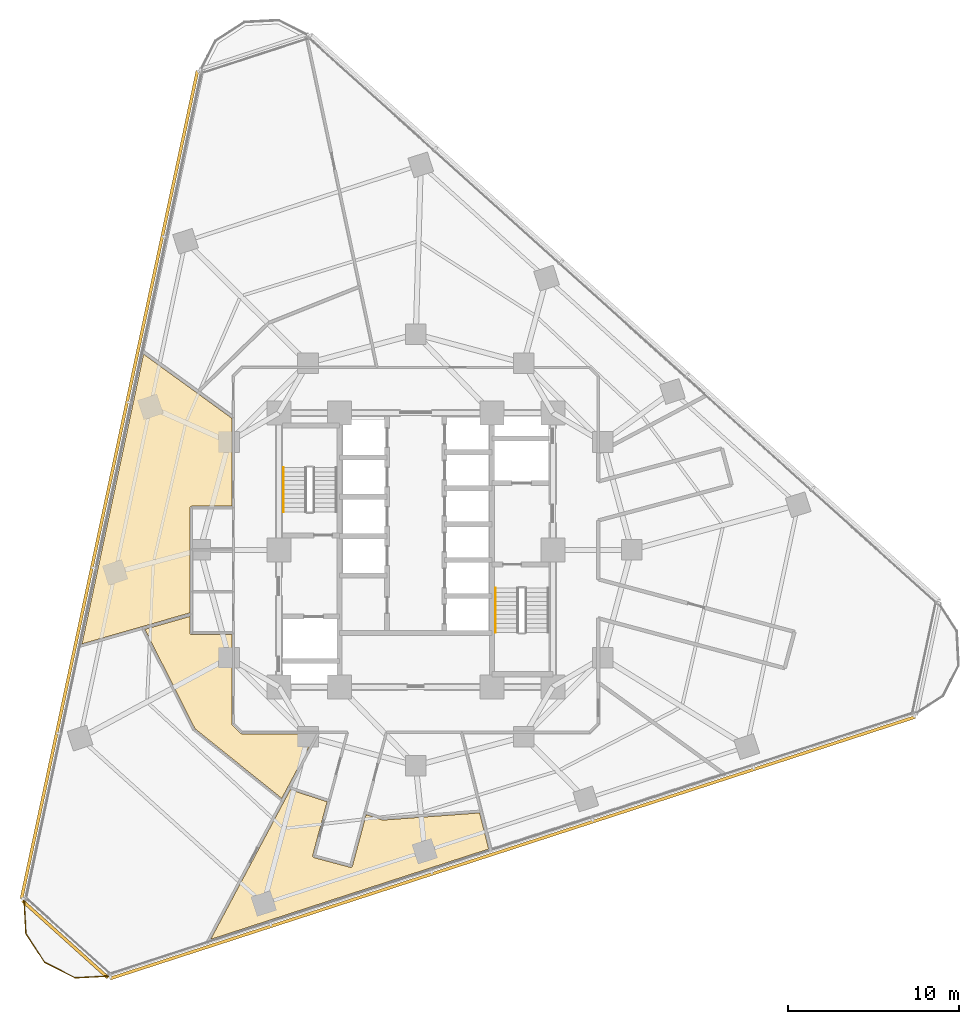
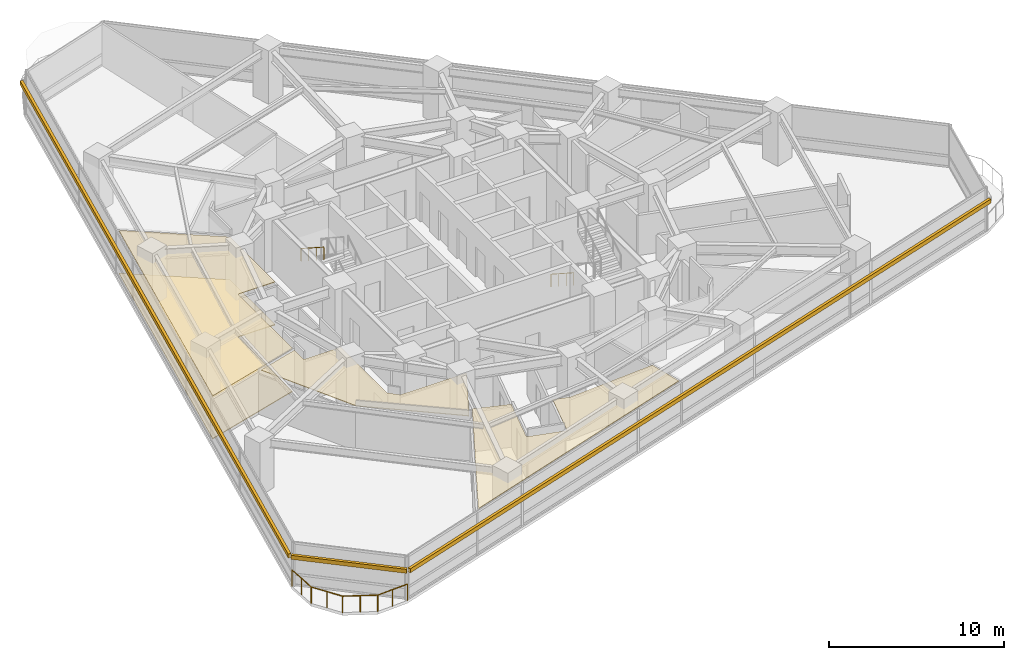
# One storey, part 11 of 13: 4 coverings, 3 railings, 3 shading devices.
"""IFC4 building model written with IfcOpenShell, lengths in metres."""

from ifc_helpers import new_model, si_unit, direction, frame, origin, origin_2d, place, context, subcontext, project, spatial, polyline, rectangle, circle, outline, extrude, material, layer, layer_set, type_object, element, save


model = new_model("IFC4")

# Units and contexts
model_context = context("Model", 3, precision=1e-05, world=origin(), true_north=direction((0.0, 1.0)))
body_context = subcontext(model_context, "Body", "Model", "MODEL_VIEW")
ifc_project = project(units=[si_unit("LENGTHUNIT", "METRE"), si_unit("AREAUNIT", "SQUARE_METRE"), si_unit("VOLUMEUNIT", "CUBIC_METRE"), si_unit("PLANEANGLEUNIT", "RADIAN"), si_unit("MASSUNIT", "GRAM", prefix="KILO")], contexts=[model_context])

# Site, building, storey
site_placement = place(None, origin())
site = spatial("IfcSite", under=ifc_project, at=site_placement, CompositionType="ELEMENT")
building_placement = place(site_placement, origin())
building = spatial("IfcBuilding", under=site, at=building_placement, Name="Terralouvre Media Tower", CompositionType="ELEMENT")
storey_placement = place(building_placement, frame((0.0, 0.0, 90.300048828125)))
storey = spatial("IfcBuildingStorey", under=building, at=storey_placement, Name="L22", CompositionType="ELEMENT", Elevation=90.300048828125)

# Coverings
ifc_material_1 = material(Name="Resilient elastomer acoustic broadcast studio flooring")
ifc_layer_1 = layer(ifc_material_1, 0.050048828125, Name="Broadcast Studio Acoustic Floating Floor FL-AC1")
ifc_layer_set_1 = layer_set([ifc_layer_1], Name="Resilient elastomer acoustic broadcast studio flooring")
covering_type_1 = type_object("IfcCoveringType", Name="Broadcast Studio Acoustic Floating Floor FL-AC1", PredefinedType="FLOORING", material=ifc_layer_set_1)
covering_1_placement = place(storey_placement, frame((0.0, 0.0, 0.0), z_axis=(0.0, 0.0, 1.0), x_axis=(0.951056516295, 0.309016994375, 0.0)))
element("IfcCovering", 1, at=covering_1_placement, inside=storey, type_object=covering_type_1, Name="L22 Documentary Archive Library 11 Acoustic Floating Floor", PredefinedType="FLOORING", context=body_context, shape_type="SweptSolid", body=[
    extrude(outline(polyline([(-13.69140625, 0.578369140625), (-11.796875, 6.4091796875), (-11.79345703125, 6.418212890625), (-11.7890625, 6.427001953125), (-11.78369140625, 6.435302734375), (-11.77783203125, 6.443115234375), (-11.77099609375, 6.4501953125), (-11.763671875, 6.456787109375), (-11.755615234375, 6.46240234375), (-11.7470703125, 6.46728515625), (-11.738037109375, 6.471435546875), (-11.72900390625, 6.474365234375), (-11.71923828125, 6.4765625), (-11.709716796875, 6.47802734375), (-11.69970703125, 6.478271484375), (-11.68994140625, 6.4775390625), (-11.680419921875, 6.475830078125), (-11.6708984375, 6.473388671875), (-9.435791015625, 5.7470703125), (-7.848388671875, 10.6328125), (-9.323486328125, 12.661865234375), (-11.592529296875, 15.785400390625), (-20.23974609375, 0.806884765625), (-16.597900390625, 0.679443359375), (-13.69140625, 0.578369140625)])), origin(), (0.0, 0.0, 1.0), 0.050048828125),
])
ifc_material_2 = material(Name="Perforated aluminium acoustic ceiling baffle", Category="aluminium")
ifc_layer_2 = layer(ifc_material_2, 0.0400390625, Name="Perforated Acoustic Metal Tile Ceiling CL-AC1")
ifc_layer_set_2 = layer_set([ifc_layer_2], Name="Perforated aluminium acoustic ceiling baffle")
covering_type_2 = type_object("IfcCoveringType", Name="Perforated Acoustic Metal Tile Ceiling CL-AC1", PredefinedType="CEILING", material=ifc_layer_set_2)
covering_2_placement = place(storey_placement, frame((0.0, 0.0, 2.97998046875), z_axis=(0.0, 0.0, 1.0), x_axis=(0.951056516295, 0.309016994375, 0.0)))
element("IfcCovering", 2, at=covering_2_placement, inside=storey, type_object=covering_type_2, Name="L22 Grading Client Lounge 3 Acoustic Ceiling", PredefinedType="CEILING", context=body_context, shape_type="SweptSolid", body=[
    extrude(outline(polyline([(-6.701416015625, -14.41650390625), (-6.7109375, -14.41357421875), (-6.719970703125, -14.409912109375), (-6.728515625, -14.4052734375), (-6.73681640625, -14.39990234375), (-7.5390625, -13.8125), (-9.232421875, -16.420654296875), (-9.23828125, -16.428466796875), (-9.24462890625, -16.435791015625), (-9.251953125, -16.442626953125), (-9.259765625, -16.448486328125), (-9.26806640625, -16.45361328125), (-9.27685546875, -16.4580078125), (-9.2861328125, -16.46142578125), (-9.295654296875, -16.4638671875), (-9.30517578125, -16.465576171875), (-9.31494140625, -16.466064453125), (-9.324951171875, -16.4658203125), (-9.33447265625, -16.46435546875), (-9.343994140625, -16.462158203125), (-9.353515625, -16.458984375), (-9.3623046875, -16.454833984375), (-9.370849609375, -16.449951171875), (-11.216064453125, -15.252197265625), (-11.223876953125, -15.246337890625), (-11.231201171875, -15.239990234375), (-11.238037109375, -15.232666015625), (-11.243896484375, -15.224853515625), (-11.2490234375, -15.216552734375), (-11.25341796875, -15.207763671875), (-11.2568359375, -15.198486328125), (-11.25927734375, -15.18896484375), (-11.260986328125, -15.179443359375), (-11.261474609375, -15.169677734375), (-11.26123046875, -15.15966796875), (-11.259765625, -15.150146484375), (-11.257568359375, -15.140625), (-11.25439453125, -15.13134765625), (-11.25048828125, -15.122314453125), (-11.245361328125, -15.11376953125), (-9.4775390625, -12.39013671875), (-11.302001953125, -11.052734375), (-11.880126953125, -11.611083984375), (-18.42578125, -17.93212890625), (-1.354248046875, -17.931884765625), (-1.2021484375, -15.761962890625), (-6.701416015625, -14.41650390625)])), origin(), (0.0, 0.0, 1.0), 0.0400390625),
])
covering_3_placement = place(storey_placement, frame((0.0, 0.0, 2.97998046875), z_axis=(0.0, 0.0, 1.0), x_axis=(0.951056516295, 0.309016994375, 0.0)))
element("IfcCovering", 3, at=covering_3_placement, inside=storey, type_object=covering_type_2, Name="L22 Storyboarding Conference Room 5 Acoustic Ceiling", PredefinedType="CEILING", context=body_context, shape_type="SweptSolid", body=[
    extrude(outline(polyline([(-13.99755859375, -0.656005859375), (-14.00634765625, -0.65185546875), (-14.0146484375, -0.646484375), (-14.0224609375, -0.640625), (-14.029541015625, -0.6337890625), (-14.0361328125, -0.62646484375), (-14.041748046875, -0.618408203125), (-14.046630859375, -0.60986328125), (-14.05078125, -0.600830078125), (-14.0537109375, -0.591796875), (-14.055908203125, -0.58203125), (-14.057373046875, -0.572265625), (-14.0576171875, -0.5625), (-14.056884765625, -0.552734375), (-14.05517578125, -0.54296875), (-14.052734375, -0.53369140625), (-13.755615234375, 0.380615234375), (-16.484130859375, 0.475341796875), (-15.4951171875, -5.948486328125), (-11.93212890625, -11.38330078125), (-11.380126953125, -10.850341796875), (-8.865966796875, -8.42236328125), (-12.97509765625, -7.08740234375), (-12.984375, -7.083740234375), (-12.9931640625, -7.07958984375), (-13.00146484375, -7.07421875), (-13.00927734375, -7.068359375), (-13.016357421875, -7.0615234375), (-13.022705078125, -7.05419921875), (-13.0283203125, -7.046142578125), (-13.033447265625, -7.03759765625), (-13.354248046875, -6.407470703125), (-13.3583984375, -6.398681640625), (-13.361572265625, -6.389404296875), (-13.36376953125, -6.379638671875), (-13.364990234375, -6.3701171875), (-13.365234375, -6.360107421875), (-13.364501953125, -6.350341796875), (-13.363037109375, -6.3408203125), (-13.3603515625, -6.331298828125), (-11.75341796875, -1.3857421875), (-13.988525390625, -0.65966796875), (-13.99755859375, -0.656005859375)])), origin(), (0.0, 0.0, 1.0), 0.0400390625),
])
covering_4_placement = place(storey_placement, frame((0.0, 0.0, 2.97998046875), z_axis=(0.0, 0.0, 1.0), x_axis=(0.951056516295, 0.309016994375, 0.0)))
element("IfcCovering", 4, at=covering_4_placement, inside=storey, type_object=covering_type_2, Name="L22 Documentary Archive Library 11 Acoustic Ceiling", PredefinedType="CEILING", context=body_context, shape_type="SweptSolid", body=[
    extrude(outline(polyline([(-13.69140625, 0.578369140625), (-11.796875, 6.4091796875), (-11.79345703125, 6.418212890625), (-11.7890625, 6.427001953125), (-11.78369140625, 6.435302734375), (-11.77783203125, 6.443115234375), (-11.77099609375, 6.4501953125), (-11.763671875, 6.456787109375), (-11.755615234375, 6.46240234375), (-11.7470703125, 6.46728515625), (-11.738037109375, 6.471435546875), (-11.72900390625, 6.474365234375), (-11.71923828125, 6.4765625), (-11.709716796875, 6.47802734375), (-11.69970703125, 6.478271484375), (-11.68994140625, 6.4775390625), (-11.680419921875, 6.475830078125), (-11.6708984375, 6.473388671875), (-9.435791015625, 5.7470703125), (-7.848388671875, 10.6328125), (-9.323486328125, 12.661865234375), (-11.592529296875, 15.785400390625), (-20.23974609375, 0.806884765625), (-16.597900390625, 0.679443359375), (-13.69140625, 0.578369140625)])), origin(), (0.0, 0.0, 1.0), 0.0400390625),
])

# Railings
ifc_material_3 = material(Name="Stainless steel 316 handrail and balustrade", Category="steel")
ifc_layer_3 = layer(ifc_material_3, 0.06005859375, Name="Roof Edge Safety Guardrail GR-ROOF1")
ifc_layer_set_3 = layer_set([ifc_layer_3], Name="Stainless steel 316 handrail and balustrade")
railing_type_1 = type_object("IfcRailingType", Name="Roof Edge Safety Guardrail GR-ROOF1", PredefinedType="GUARDRAIL", material=ifc_layer_set_3)
railing_1_placement = place(storey_placement, frame((-22.8837890625, -20.395751953125, 0.0)))
element("IfcRailing", 5, at=railing_1_placement, inside=storey, type_object=railing_type_1, Name="L22 Wind-Corner Perimeter Safety Guardrail C0", PredefinedType="GUARDRAIL", context=body_context, shape_type="SweptSolid", body=[
    extrude(circle(Radius=0.02099609375, at=origin_2d()), frame((0.0, 0.0, 1.12890625), z_axis=(0.05204188706, -0.998644902851, 0.0), x_axis=(0.998644902851, 0.05204188706, 0.0)), (0.0, 0.0, 1.0), 2.0078125),
    extrude(circle(Radius=0.02099609375, at=origin_2d()), frame((0.1044921875, -2.005126953125, 1.12890625), z_axis=(0.544556562485, -0.838724120468, 0.0), x_axis=(0.838724120468, 0.544556562485, 0.0)), (0.0, 0.0, 1.0), 2.007568359375),
    extrude(circle(Radius=0.02099609375, at=origin_2d()), frame((1.19775390625, -3.68896484375, 1.12890625), z_axis=(0.891070121909, -0.453865660566, 0.0), x_axis=(0.453865660566, 0.891070121909, 0.0)), (0.0, 0.0, 1.0), 2.007568359375),
    extrude(circle(Radius=0.02099609375, at=origin_2d()), frame((2.986572265625, -4.60009765625, 1.12890625), z_axis=(0.998619508244, 0.052526924091, 0.0), x_axis=(-0.052526924091, 0.998619508244, 0.0)), (0.0, 0.0, 1.0), 2.0078125),
    extrude(circle(Radius=0.01904296875, at=origin_2d()), origin(), (0.0, 0.0, 1.0), 1.10791015625),
    extrude(circle(Radius=0.01904296875, at=origin_2d()), frame((0.05224609375, -1.00244140625, 0.0)), (0.0, 0.0, 1.0), 1.10791015625),
    extrude(circle(Radius=0.01904296875, at=origin_2d()), frame((0.1044921875, -2.005126953125, 0.0)), (0.0, 0.0, 1.0), 1.10791015625),
    extrude(circle(Radius=0.01904296875, at=origin_2d()), frame((0.651123046875, -2.84716796875, 0.0)), (0.0, 0.0, 1.0), 1.10791015625),
    extrude(circle(Radius=0.01904296875, at=origin_2d()), frame((1.19775390625, -3.68896484375, 0.0)), (0.0, 0.0, 1.0), 1.10791015625),
    extrude(circle(Radius=0.01904296875, at=origin_2d()), frame((2.09228515625, -4.14453125, 0.0)), (0.0, 0.0, 1.0), 1.10791015625),
    extrude(circle(Radius=0.01904296875, at=origin_2d()), frame((2.986572265625, -4.60009765625, 0.0)), (0.0, 0.0, 1.0), 1.10791015625),
    extrude(circle(Radius=0.01904296875, at=origin_2d()), frame((3.9892578125, -4.54736328125, 0.0)), (0.0, 0.0, 1.0), 1.10791015625),
    extrude(circle(Radius=0.01904296875, at=origin_2d()), frame((4.99169921875, -4.49462890625, 0.0)), (0.0, 0.0, 1.0), 1.10791015625),
])
ifc_material_4 = material(Name="Stainless steel 316 handrail and balustrade", Category="steel")
ifc_layer_4 = layer(ifc_material_4, 0.050048828125, Name="Stair Flight Wall Handrail HR-INT1")
ifc_layer_set_4 = layer_set([ifc_layer_4], Name="Stainless steel 316 handrail and balustrade")
railing_type_2 = type_object("IfcRailingType", Name="Stair Flight Wall Handrail HR-INT1", PredefinedType="HANDRAIL", material=ifc_layer_set_4)
railing_2_placement = place(storey_placement, frame((-7.72998046875, 4.820068359375, 2.01806640625)))
element("IfcRailing", 6, at=railing_2_placement, inside=storey, type_object=railing_type_2, Name="L22 ST-01 stair handrail 2", PredefinedType="HANDRAIL", context=body_context, shape_type="SweptSolid", body=[
    extrude(circle(Radius=0.02392578125, at=origin_2d()), frame((0.0, 0.0, 0.8759765625), z_axis=(0.0, -0.839648411786, 0.543130320075), x_axis=(1.0, 0.0, 0.0)), (0.0, 0.0, 1.0), 3.0966796875),
    extrude(circle(Radius=0.02099609375, at=origin_2d()), origin(), (0.0, 0.0, 1.0), 0.851806640625),
    extrude(circle(Radius=0.02099609375, at=origin_2d()), frame((0.0, -0.86669921875, 0.560546875)), (0.0, 0.0, 1.0), 0.851806640625),
    extrude(circle(Radius=0.02099609375, at=origin_2d()), frame((0.0, -1.7333984375, 1.121337890625)), (0.0, 0.0, 1.0), 0.851806640625),
    extrude(circle(Radius=0.02099609375, at=origin_2d()), frame((0.0, -2.60009765625, 1.681884765625)), (0.0, 0.0, 1.0), 0.851806640625),
])
railing_3_placement = place(storey_placement, frame((4.64990234375, -2.219970703125, 0.168212890625)))
element("IfcRailing", 7, at=railing_3_placement, inside=storey, type_object=railing_type_2, Name="L22 ST-02 stair handrail 1", PredefinedType="HANDRAIL", context=body_context, shape_type="SweptSolid", body=[
    extrude(circle(Radius=0.02392578125, at=origin_2d()), frame((0.0, 0.0, 0.8759765625), z_axis=(0.0, -0.839684365666, 0.543074733399), x_axis=(1.0, 0.0, 0.0)), (0.0, 0.0, 1.0), 3.096435546875),
    extrude(circle(Radius=0.02099609375, at=origin_2d()), origin(), (0.0, 0.0, 1.0), 0.851806640625),
    extrude(circle(Radius=0.02099609375, at=origin_2d()), frame((0.0, -0.86669921875, 0.560546875)), (0.0, 0.0, 1.0), 0.851806640625),
    extrude(circle(Radius=0.02099609375, at=origin_2d()), frame((0.0, -1.7333984375, 1.12109375)), (0.0, 0.0, 1.0), 0.851806640625),
    extrude(circle(Radius=0.02099609375, at=origin_2d()), frame((0.0, -2.60009765625, 1.681640625)), (0.0, 0.0, 1.0), 0.851806640625),
])

# Shading devices
ifc_material_5 = material(Name="Extruded terracotta baguette sunshade louvres", Category="masonry")
shading_device_type = type_object("IfcShadingDeviceType", Name="Terracotta Baguette Sunshade Louvre Screen TB-LV1", PredefinedType="USERDEFINED", material=ifc_material_5)
for number, where, z_axis, x_axis, name in (
    (8, (5.652587890625, -17.396728515625, 2.02392578125), (0.0, 0.0, 1.0), (0.951056509451, 0.309017015439, 0.0), "CW-L22-F0 Terracotta Baguette Sunshade Louvre"),
    (9, (-17.892333984375, 3.80322265625, 2.02392578125), (0.0, 0.0, 1.0), (-0.207911643887, -0.978147610709, 0.0), "CW-L22-F2 Terracotta Baguette Sunshade Louvre"),
):
    element("IfcShadingDevice", number, at=place(storey_placement, frame(where, z_axis=z_axis, x_axis=x_axis)), inside=storey, type_object=shading_device_type, Name=name, ObjectType="BAGUETTE", PredefinedType="USERDEFINED", context=body_context, shape_type="SweptSolid", body=[
        extrude(rectangle(XDim=49.43994140625, YDim=0.179931640625, at=origin_2d()), origin(), (0.0, 0.0, 1.0), 0.280029296875),
    ])
shading_device_placement = place(storey_placement, frame((-20.478271484375, -22.743408203125, 2.02392578125), z_axis=(0.0, 0.0, 1.0), x_axis=(0.743144668471, -0.669130780732, 0.0)))
element("IfcShadingDevice", 10, at=shading_device_placement, inside=storey, type_object=shading_device_type, Name="CW-L22-C0 Terracotta Baguette Sunshade Louvre", ObjectType="BAGUETTE", PredefinedType="USERDEFINED", context=body_context, shape_type="SweptSolid", body=[
    extrude(rectangle(XDim=6.720458984375, YDim=0.179931640625, at=origin_2d()), origin(), (0.0, 0.0, 1.0), 0.280029296875),
])

save(model, "model.ifc")
